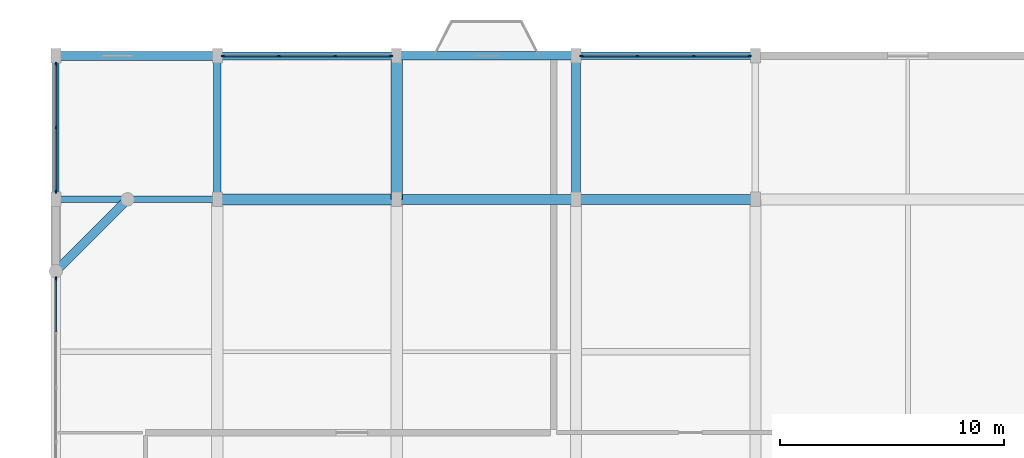
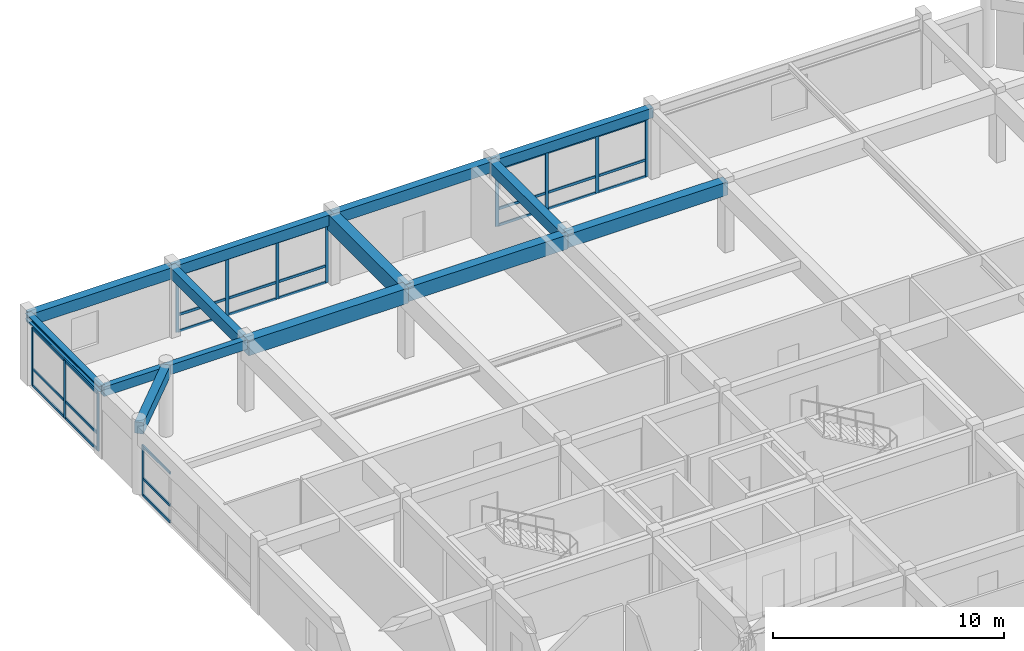
# One storey, part 6 of 13: 39 members, 13 beams, 4 elements without a shape of their own.
"""IFC4 building model written with IfcOpenShell, lengths in metres."""

from ifc_helpers import new_model, si_unit, direction, frame, origin, origin_2d, place, context, subcontext, project, spatial, rectangle, i_section, extrude, material, material_profile, profile_set, type_object, element, aggregate, save


model = new_model("IFC4")

# Units and contexts
model_context = context("Model", 3, precision=1e-05, world=origin(), true_north=direction((0.0, 1.0)))
body_context = subcontext(model_context, "Body", "Model", "MODEL_VIEW")
ifc_project = project(units=[si_unit("LENGTHUNIT", "METRE"), si_unit("AREAUNIT", "SQUARE_METRE"), si_unit("VOLUMEUNIT", "CUBIC_METRE"), si_unit("PLANEANGLEUNIT", "RADIAN"), si_unit("MASSUNIT", "GRAM", prefix="KILO")], contexts=[model_context])

# Site, building, storey
site_placement = place(None, origin())
site = spatial("IfcSite", under=ifc_project, at=site_placement, CompositionType="ELEMENT")
building_placement = place(site_placement, origin())
building = spatial("IfcBuilding", under=site, at=building_placement, Name="Vellmiral Cinema and Media Centre", CompositionType="ELEMENT")
storey_placement = place(building_placement, frame((0.0, 0.0, 58.699951171875)))
storey = spatial("IfcBuildingStorey", under=building, at=storey_placement, Name="L14", CompositionType="ELEMENT", Elevation=58.699951171875)

# Beams
ifc_material_1 = material(Name="Concrete C40/50", Category="concrete")
ifc_material_profile_1 = material_profile(ifc_material_1, rectangle(XDim=0.300048828125, YDim=0.5, at=origin_2d()), Name="RC 300x500")
ifc_profile_set_1 = profile_set([ifc_material_profile_1], Name="Concrete C40/50")
beam_type_1 = type_object("IfcBeamType", Name="BM-RC-300x500", PredefinedType="BEAM", material=ifc_profile_set_1)
beam_1_placement = place(storey_placement, frame((116.800048828125, 108.800048828125, 3.39501953125), z_axis=(1.0, 0.0, 0.0), x_axis=(0.0, 1.0, 0.0)))
element("IfcBeam", 1, at=beam_1_placement, inside=storey, type_object=beam_type_1, Name="Grid Beam L14-X025", PredefinedType="BEAM", context=body_context, shape_type="SweptSolid", body=[
    extrude(rectangle(XDim=0.300048828125, YDim=0.5, at=origin_2d()), origin(), (0.0, 0.0, 1.0), 7.199951171875),
])
ifc_material_2 = material(Name="Concrete C40/50", Category="concrete")
ifc_material_profile_2 = material_profile(ifc_material_2, rectangle(XDim=0.35009765625, YDim=0.60009765625, at=origin_2d()), Name="RC 350x600")
ifc_profile_set_2 = profile_set([ifc_material_profile_2], Name="Concrete C40/50")
beam_type_2 = type_object("IfcBeamType", Name="BM-RC-350x600", PredefinedType="BEAM", material=ifc_profile_set_2)
beam_2_placement = place(storey_placement, frame((124.0, 108.800048828125, 3.344970703125), z_axis=(0.0, 1.0, 0.0), x_axis=(-1.0, 0.0, 0.0)))
element("IfcBeam", 2, at=beam_2_placement, inside=storey, type_object=beam_type_2, Name="Grid Beam L14-Y045", PredefinedType="BEAM", context=body_context, shape_type="SweptSolid", body=[
    extrude(rectangle(XDim=0.35009765625, YDim=0.60009765625, at=origin_2d()), origin(), (0.0, 0.0, 1.0), 6.39990234375),
])
ifc_material_3 = material(Name="Concrete C40/50", Category="concrete")
ifc_material_profile_3 = material_profile(ifc_material_3, rectangle(XDim=0.39990234375, YDim=0.60009765625, at=origin_2d()), Name="RC 400x600")
ifc_profile_set_3 = profile_set([ifc_material_profile_3], Name="Concrete C40/50")
beam_type_3 = type_object("IfcBeamType", Name="BM-RC-400x600", PredefinedType="BEAM", material=ifc_profile_set_3)
beam_3_placement = place(storey_placement, frame((140.0, 108.800048828125, 3.344970703125), z_axis=(0.0, 1.0, 0.0), x_axis=(-1.0, 0.0, 0.0)))
element("IfcBeam", 3, at=beam_3_placement, inside=storey, type_object=beam_type_3, Name="Grid Beam L14-Y055", PredefinedType="BEAM", context=body_context, shape_type="SweptSolid", body=[
    extrude(rectangle(XDim=0.39990234375, YDim=0.60009765625, at=origin_2d()), origin(), (0.0, 0.0, 1.0), 6.39990234375),
])
ifc_material_4 = material(Name="Concrete C40/50", Category="concrete")
ifc_material_profile_4 = material_profile(ifc_material_4, rectangle(XDim=0.449951171875, YDim=0.699951171875, at=origin_2d()), Name="RC 450x700")
ifc_profile_set_4 = profile_set([ifc_material_profile_4], Name="Concrete C40/50")
beam_type_4 = type_object("IfcBeamType", Name="BM-RC-450x700", PredefinedType="BEAM", material=ifc_profile_set_4)
beam_4_placement = place(storey_placement, frame((140.0, 108.800048828125, 3.295166015625), z_axis=(1.0, 0.0, 0.0), x_axis=(0.0, 1.0, 0.0)))
element("IfcBeam", 4, at=beam_4_placement, inside=storey, type_object=beam_type_4, Name="Grid Beam L14-X028", PredefinedType="BEAM", context=body_context, shape_type="SweptSolid", body=[
    extrude(rectangle(XDim=0.449951171875, YDim=0.699951171875, at=origin_2d()), origin(), (0.0, 0.0, 1.0), 8.0),
])
ifc_material_5 = material(Name="Concrete C40/50", Category="concrete")
ifc_material_profile_5 = material_profile(ifc_material_5, rectangle(XDim=0.449951171875, YDim=0.75, at=origin_2d()), Name="RC 450x750")
ifc_profile_set_5 = profile_set([ifc_material_profile_5], Name="Concrete C40/50")
beam_type_5 = type_object("IfcBeamType", Name="BM-RC-450x750", PredefinedType="BEAM", material=ifc_profile_set_5)
beam_5_placement = place(storey_placement, frame((132.0, 108.800048828125, 3.27001953125), z_axis=(1.0, 0.0, 0.0), x_axis=(0.0, 1.0, 0.0)))
element("IfcBeam", 5, at=beam_5_placement, inside=storey, type_object=beam_type_5, Name="Grid Beam L14-X027", PredefinedType="BEAM", context=body_context, shape_type="SweptSolid", body=[
    extrude(rectangle(XDim=0.449951171875, YDim=0.75, at=origin_2d()), origin(), (0.0, 0.0, 1.0), 8.0),
])
ifc_material_6 = material(Name="Concrete C40/50", Category="concrete")
ifc_material_profile_6 = material_profile(ifc_material_6, rectangle(XDim=0.5, YDim=0.800048828125, at=origin_2d()), Name="RC 500x800")
ifc_profile_set_6 = profile_set([ifc_material_profile_6], Name="Concrete C40/50")
beam_type_6 = type_object("IfcBeamType", Name="BM-RC-500x800", PredefinedType="BEAM", material=ifc_profile_set_6)
beam_6_placement = place(storey_placement, frame((124.0, 108.800048828125, 3.2451171875), z_axis=(1.0, 0.0, 0.0), x_axis=(0.0, 1.0, 0.0)))
element("IfcBeam", 6, at=beam_6_placement, inside=storey, type_object=beam_type_6, Name="Grid Beam L14-X026", PredefinedType="BEAM", context=body_context, shape_type="SweptSolid", body=[
    extrude(rectangle(XDim=0.5, YDim=0.800048828125, at=origin_2d()), origin(), (0.0, 0.0, 1.0), 8.0),
])
ifc_material_7 = material(Name="Concrete C40/50", Category="concrete")
ifc_material_profile_7 = material_profile(ifc_material_7, rectangle(XDim=0.5, YDim=0.85009765625, at=origin_2d()), Name="RC 500x850")
ifc_profile_set_7 = profile_set([ifc_material_profile_7], Name="Concrete C40/50")
beam_type_7 = type_object("IfcBeamType", Name="BM-RC-500x850", PredefinedType="BEAM", material=ifc_profile_set_7)
beam_7_placement = place(storey_placement, frame((132.0, 108.800048828125, 3.219970703125), z_axis=(0.0, 1.0, 0.0), x_axis=(-1.0, 0.0, 0.0)))
element("IfcBeam", 7, at=beam_7_placement, inside=storey, type_object=beam_type_7, Name="Grid Beam L14-Y050", PredefinedType="BEAM", context=body_context, shape_type="SweptSolid", body=[
    extrude(rectangle(XDim=0.5, YDim=0.85009765625, at=origin_2d()), origin(), (0.0, 0.0, 1.0), 6.39990234375),
])

# Curtain wall, members
ifc_material_8 = material(Name="Thermally Broken Aluminium and Triple Glazing", Category="aluminium")
curtain_wall_type = type_object("IfcCurtainWallType", Name="CW-TOWER-MID-W", PredefinedType="USERDEFINED", material=ifc_material_8)
curtain_wall_1_placement = place(storey_placement, origin())
curtain_wall_1 = element("IfcCurtainWall", 8, at=curtain_wall_1_placement, inside=storey, type_object=curtain_wall_type, Name="Curtain Wall L14-B019", ObjectType="UNITISED CURTAIN WALL", PredefinedType="USERDEFINED")
ifc_material_9 = material(Name="Thermally Broken Anodised Aluminium", Category="aluminium")
ifc_material_profile_8 = material_profile(ifc_material_9, rectangle(XDim=0.06494140625, YDim=0.159912109375, at=origin_2d()), Name="MULL 65x160")
ifc_profile_set_8 = profile_set([ifc_material_profile_8], Name="Thermally Broken Anodised Aluminium")
member_type_1 = type_object("IfcMemberType", Name="CWM-65x160", PredefinedType="MULLION", material=ifc_profile_set_8)
member_1_placement = place(storey_placement, frame((147.742431640625, 115.199951171875, 0.0), z_axis=(0.0, 0.0, 1.0), x_axis=(0.0, -1.0, 0.0)))
member_1 = element("IfcMember", 9, at=member_1_placement, type_object=member_type_1, Name="CW-08 mullion 1", PredefinedType="MULLION", context=body_context, shape_type="SweptSolid", body=[
    extrude(rectangle(XDim=0.06494140625, YDim=0.159912109375, at=origin_2d()), origin(), (0.0, 0.0, 1.0), 3.050048828125),
])
member_2_placement = place(storey_placement, frame((145.25830078125, 115.199951171875, 0.0), z_axis=(0.0, 0.0, 1.0), x_axis=(0.0, -1.0, 0.0)))
member_2 = element("IfcMember", 10, at=member_2_placement, type_object=member_type_1, Name="CW-08 mullion 2", PredefinedType="MULLION", context=body_context, shape_type="SweptSolid", body=[
    extrude(rectangle(XDim=0.06494140625, YDim=0.159912109375, at=origin_2d()), origin(), (0.0, 0.0, 1.0), 3.050048828125),
])
member_3_placement = place(storey_placement, frame((142.74169921875, 115.199951171875, 0.0), z_axis=(0.0, 0.0, 1.0), x_axis=(0.0, -1.0, 0.0)))
member_3 = element("IfcMember", 11, at=member_3_placement, type_object=member_type_1, Name="CW-08 mullion 3", PredefinedType="MULLION", context=body_context, shape_type="SweptSolid", body=[
    extrude(rectangle(XDim=0.06494140625, YDim=0.159912109375, at=origin_2d()), origin(), (0.0, 0.0, 1.0), 3.050048828125),
])
member_4_placement = place(storey_placement, frame((140.257568359375, 115.199951171875, 0.0), z_axis=(0.0, 0.0, 1.0), x_axis=(0.0, -1.0, 0.0)))
member_4 = element("IfcMember", 12, at=member_4_placement, type_object=member_type_1, Name="CW-08 mullion 4", PredefinedType="MULLION", context=body_context, shape_type="SweptSolid", body=[
    extrude(rectangle(XDim=0.06494140625, YDim=0.159912109375, at=origin_2d()), origin(), (0.0, 0.0, 1.0), 3.050048828125),
])

curtain_wall_2_placement = place(storey_placement, origin())
curtain_wall_2 = element("IfcCurtainWall", 13, at=curtain_wall_2_placement, inside=storey, type_object=curtain_wall_type, Name="Curtain Wall L14-B021", ObjectType="UNITISED CURTAIN WALL", PredefinedType="USERDEFINED")
member_5_placement = place(storey_placement, frame((131.742431640625, 115.199951171875, 0.0), z_axis=(0.0, 0.0, 1.0), x_axis=(0.0, -1.0, 0.0)))
member_5 = element("IfcMember", 14, at=member_5_placement, type_object=member_type_1, Name="CW-08 mullion 1", PredefinedType="MULLION", context=body_context, shape_type="SweptSolid", body=[
    extrude(rectangle(XDim=0.06494140625, YDim=0.159912109375, at=origin_2d()), origin(), (0.0, 0.0, 1.0), 3.050048828125),
])
member_6_placement = place(storey_placement, frame((129.25830078125, 115.199951171875, 0.0), z_axis=(0.0, 0.0, 1.0), x_axis=(0.0, -1.0, 0.0)))
member_6 = element("IfcMember", 15, at=member_6_placement, type_object=member_type_1, Name="CW-08 mullion 2", PredefinedType="MULLION", context=body_context, shape_type="SweptSolid", body=[
    extrude(rectangle(XDim=0.06494140625, YDim=0.159912109375, at=origin_2d()), origin(), (0.0, 0.0, 1.0), 3.050048828125),
])
member_7_placement = place(storey_placement, frame((126.74169921875, 115.199951171875, 0.0), z_axis=(0.0, 0.0, 1.0), x_axis=(0.0, -1.0, 0.0)))
member_7 = element("IfcMember", 16, at=member_7_placement, type_object=member_type_1, Name="CW-08 mullion 3", PredefinedType="MULLION", context=body_context, shape_type="SweptSolid", body=[
    extrude(rectangle(XDim=0.06494140625, YDim=0.159912109375, at=origin_2d()), origin(), (0.0, 0.0, 1.0), 3.050048828125),
])
member_8_placement = place(storey_placement, frame((124.257568359375, 115.199951171875, 0.0), z_axis=(0.0, 0.0, 1.0), x_axis=(0.0, -1.0, 0.0)))
member_8 = element("IfcMember", 17, at=member_8_placement, type_object=member_type_1, Name="CW-08 mullion 4", PredefinedType="MULLION", context=body_context, shape_type="SweptSolid", body=[
    extrude(rectangle(XDim=0.06494140625, YDim=0.159912109375, at=origin_2d()), origin(), (0.0, 0.0, 1.0), 3.050048828125),
])

curtain_wall_3_placement = place(storey_placement, origin())
curtain_wall_3 = element("IfcCurtainWall", 18, at=curtain_wall_3_placement, inside=storey, type_object=curtain_wall_type, Name="Curtain Wall L14-B023", ObjectType="UNITISED CURTAIN WALL", PredefinedType="USERDEFINED")
member_9_placement = place(storey_placement, frame((116.800048828125, 114.842529296875, 0.0), z_axis=(0.0, 0.0, 1.0), x_axis=(1.0, 0.0, 0.0)))
member_9 = element("IfcMember", 19, at=member_9_placement, type_object=member_type_1, Name="CW-08 mullion 1", PredefinedType="MULLION", context=body_context, shape_type="SweptSolid", body=[
    extrude(rectangle(XDim=0.06494140625, YDim=0.159912109375, at=origin_2d()), origin(), (0.0, 0.0, 1.0), 3.050048828125),
])
member_10_placement = place(storey_placement, frame((116.800048828125, 112.0, 0.0), z_axis=(0.0, 0.0, 1.0), x_axis=(1.0, 0.0, 0.0)))
member_10 = element("IfcMember", 20, at=member_10_placement, type_object=member_type_1, Name="CW-08 mullion 2", PredefinedType="MULLION", context=body_context, shape_type="SweptSolid", body=[
    extrude(rectangle(XDim=0.06494140625, YDim=0.159912109375, at=origin_2d()), origin(), (0.0, 0.0, 1.0), 3.050048828125),
])
member_11_placement = place(storey_placement, frame((116.800048828125, 109.157470703125, 0.0), z_axis=(0.0, 0.0, 1.0), x_axis=(1.0, 0.0, 0.0)))
member_11 = element("IfcMember", 21, at=member_11_placement, type_object=member_type_1, Name="CW-08 mullion 3", PredefinedType="MULLION", context=body_context, shape_type="SweptSolid", body=[
    extrude(rectangle(XDim=0.06494140625, YDim=0.159912109375, at=origin_2d()), origin(), (0.0, 0.0, 1.0), 3.050048828125),
])

# Curtain wall, member
curtain_wall_4_placement = place(storey_placement, origin())
curtain_wall_4 = element("IfcCurtainWall", 22, at=curtain_wall_4_placement, inside=storey, type_object=curtain_wall_type, Name="Curtain Wall L14-B025", ObjectType="UNITISED CURTAIN WALL", PredefinedType="USERDEFINED")
member_12_placement = place(storey_placement, frame((116.800048828125, 105.267578125, 0.0), z_axis=(0.0, 0.0, 1.0), x_axis=(1.0, 0.0, 0.0)))
member_12 = element("IfcMember", 23, at=member_12_placement, type_object=member_type_1, Name="CW-08 mullion 1", PredefinedType="MULLION", context=body_context, shape_type="SweptSolid", body=[
    extrude(rectangle(XDim=0.06494140625, YDim=0.159912109375, at=origin_2d()), origin(), (0.0, 0.0, 1.0), 2.635009765625),
])

# Member
ifc_material_10 = material(Name="Thermally Broken Anodised Aluminium", Category="aluminium")
ifc_material_profile_9 = material_profile(ifc_material_10, rectangle(XDim=0.06494140625, YDim=0.135009765625, at=origin_2d()), Name="MULL 65x135")
ifc_profile_set_9 = profile_set([ifc_material_profile_9], Name="Thermally Broken Anodised Aluminium")
member_type_2 = type_object("IfcMemberType", Name="CWT-65x135", PredefinedType="USERDEFINED", material=ifc_profile_set_9)
member_13_placement = place(storey_placement, frame((147.7099609375, 115.199951171875, 0.032470703125), z_axis=(-1.0, 0.0, 0.0), x_axis=(0.0, -1.0, 0.0)))
member_13 = element("IfcMember", 24, at=member_13_placement, type_object=member_type_2, Name="CW-08 transom 1.1", ObjectType="TRANSOM", PredefinedType="USERDEFINED", context=body_context, shape_type="SweptSolid", body=[
    extrude(rectangle(XDim=0.06494140625, YDim=0.135009765625, at=origin_2d()), origin(), (0.0, 0.0, 1.0), 2.419189453125),
])

member_14_placement = place(storey_placement, frame((147.7099609375, 115.199951171875, 0.900146484375), z_axis=(-1.0, 0.0, 0.0), x_axis=(0.0, -1.0, 0.0)))
member_14 = element("IfcMember", 25, at=member_14_placement, type_object=member_type_2, Name="CW-08 transom 1.2", ObjectType="TRANSOM", PredefinedType="USERDEFINED", context=body_context, shape_type="SweptSolid", body=[
    extrude(rectangle(XDim=0.06494140625, YDim=0.135009765625, at=origin_2d()), origin(), (0.0, 0.0, 1.0), 2.419189453125),
])

member_15_placement = place(storey_placement, frame((147.7099609375, 115.199951171875, 3.017578125), z_axis=(-1.0, 0.0, 0.0), x_axis=(0.0, -1.0, 0.0)))
member_15 = element("IfcMember", 26, at=member_15_placement, type_object=member_type_2, Name="CW-08 transom 1.3", ObjectType="TRANSOM", PredefinedType="USERDEFINED", context=body_context, shape_type="SweptSolid", body=[
    extrude(rectangle(XDim=0.06494140625, YDim=0.135009765625, at=origin_2d()), origin(), (0.0, 0.0, 1.0), 2.419189453125),
])

member_16_placement = place(storey_placement, frame((145.225830078125, 115.199951171875, 0.032470703125), z_axis=(-1.0, 0.0, 0.0), x_axis=(0.0, -1.0, 0.0)))
member_16 = element("IfcMember", 27, at=member_16_placement, type_object=member_type_2, Name="CW-08 transom 2.1", ObjectType="TRANSOM", PredefinedType="USERDEFINED", context=body_context, shape_type="SweptSolid", body=[
    extrude(rectangle(XDim=0.06494140625, YDim=0.135009765625, at=origin_2d()), origin(), (0.0, 0.0, 1.0), 2.45166015625),
])

member_17_placement = place(storey_placement, frame((145.225830078125, 115.199951171875, 0.900146484375), z_axis=(-1.0, 0.0, 0.0), x_axis=(0.0, -1.0, 0.0)))
member_17 = element("IfcMember", 28, at=member_17_placement, type_object=member_type_2, Name="CW-08 transom 2.2", ObjectType="TRANSOM", PredefinedType="USERDEFINED", context=body_context, shape_type="SweptSolid", body=[
    extrude(rectangle(XDim=0.06494140625, YDim=0.135009765625, at=origin_2d()), origin(), (0.0, 0.0, 1.0), 2.45166015625),
])

member_18_placement = place(storey_placement, frame((145.225830078125, 115.199951171875, 3.017578125), z_axis=(-1.0, 0.0, 0.0), x_axis=(0.0, -1.0, 0.0)))
member_18 = element("IfcMember", 29, at=member_18_placement, type_object=member_type_2, Name="CW-08 transom 2.3", ObjectType="TRANSOM", PredefinedType="USERDEFINED", context=body_context, shape_type="SweptSolid", body=[
    extrude(rectangle(XDim=0.06494140625, YDim=0.135009765625, at=origin_2d()), origin(), (0.0, 0.0, 1.0), 2.45166015625),
])

member_19_placement = place(storey_placement, frame((142.709228515625, 115.199951171875, 0.032470703125), z_axis=(-1.0, 0.0, 0.0), x_axis=(0.0, -1.0, 0.0)))
member_19 = element("IfcMember", 30, at=member_19_placement, type_object=member_type_2, Name="CW-08 transom 3.1", ObjectType="TRANSOM", PredefinedType="USERDEFINED", context=body_context, shape_type="SweptSolid", body=[
    extrude(rectangle(XDim=0.06494140625, YDim=0.135009765625, at=origin_2d()), origin(), (0.0, 0.0, 1.0), 2.419189453125),
])

member_20_placement = place(storey_placement, frame((142.709228515625, 115.199951171875, 0.900146484375), z_axis=(-1.0, 0.0, 0.0), x_axis=(0.0, -1.0, 0.0)))
member_20 = element("IfcMember", 31, at=member_20_placement, type_object=member_type_2, Name="CW-08 transom 3.2", ObjectType="TRANSOM", PredefinedType="USERDEFINED", context=body_context, shape_type="SweptSolid", body=[
    extrude(rectangle(XDim=0.06494140625, YDim=0.135009765625, at=origin_2d()), origin(), (0.0, 0.0, 1.0), 2.419189453125),
])

member_21_placement = place(storey_placement, frame((142.709228515625, 115.199951171875, 3.017578125), z_axis=(-1.0, 0.0, 0.0), x_axis=(0.0, -1.0, 0.0)))
member_21 = element("IfcMember", 32, at=member_21_placement, type_object=member_type_2, Name="CW-08 transom 3.3", ObjectType="TRANSOM", PredefinedType="USERDEFINED", context=body_context, shape_type="SweptSolid", body=[
    extrude(rectangle(XDim=0.06494140625, YDim=0.135009765625, at=origin_2d()), origin(), (0.0, 0.0, 1.0), 2.419189453125),
])

aggregate(curtain_wall_1, [member_1, member_2, member_3, member_4, member_13, member_14, member_15, member_16, member_17, member_18, member_19, member_20, member_21])

member_22_placement = place(storey_placement, frame((131.7099609375, 115.199951171875, 0.032470703125), z_axis=(-1.0, 0.0, 0.0), x_axis=(0.0, -1.0, 0.0)))
member_22 = element("IfcMember", 33, at=member_22_placement, type_object=member_type_2, Name="CW-08 transom 1.1", ObjectType="TRANSOM", PredefinedType="USERDEFINED", context=body_context, shape_type="SweptSolid", body=[
    extrude(rectangle(XDim=0.06494140625, YDim=0.135009765625, at=origin_2d()), origin(), (0.0, 0.0, 1.0), 2.419189453125),
])

member_23_placement = place(storey_placement, frame((131.7099609375, 115.199951171875, 0.900146484375), z_axis=(-1.0, 0.0, 0.0), x_axis=(0.0, -1.0, 0.0)))
member_23 = element("IfcMember", 34, at=member_23_placement, type_object=member_type_2, Name="CW-08 transom 1.2", ObjectType="TRANSOM", PredefinedType="USERDEFINED", context=body_context, shape_type="SweptSolid", body=[
    extrude(rectangle(XDim=0.06494140625, YDim=0.135009765625, at=origin_2d()), origin(), (0.0, 0.0, 1.0), 2.419189453125),
])

member_24_placement = place(storey_placement, frame((131.7099609375, 115.199951171875, 3.017578125), z_axis=(-1.0, 0.0, 0.0), x_axis=(0.0, -1.0, 0.0)))
member_24 = element("IfcMember", 35, at=member_24_placement, type_object=member_type_2, Name="CW-08 transom 1.3", ObjectType="TRANSOM", PredefinedType="USERDEFINED", context=body_context, shape_type="SweptSolid", body=[
    extrude(rectangle(XDim=0.06494140625, YDim=0.135009765625, at=origin_2d()), origin(), (0.0, 0.0, 1.0), 2.419189453125),
])

member_25_placement = place(storey_placement, frame((129.225830078125, 115.199951171875, 0.032470703125), z_axis=(-1.0, 0.0, 0.0), x_axis=(0.0, -1.0, 0.0)))
member_25 = element("IfcMember", 36, at=member_25_placement, type_object=member_type_2, Name="CW-08 transom 2.1", ObjectType="TRANSOM", PredefinedType="USERDEFINED", context=body_context, shape_type="SweptSolid", body=[
    extrude(rectangle(XDim=0.06494140625, YDim=0.135009765625, at=origin_2d()), origin(), (0.0, 0.0, 1.0), 2.45166015625),
])

member_26_placement = place(storey_placement, frame((129.225830078125, 115.199951171875, 0.900146484375), z_axis=(-1.0, 0.0, 0.0), x_axis=(0.0, -1.0, 0.0)))
member_26 = element("IfcMember", 37, at=member_26_placement, type_object=member_type_2, Name="CW-08 transom 2.2", ObjectType="TRANSOM", PredefinedType="USERDEFINED", context=body_context, shape_type="SweptSolid", body=[
    extrude(rectangle(XDim=0.06494140625, YDim=0.135009765625, at=origin_2d()), origin(), (0.0, 0.0, 1.0), 2.45166015625),
])

member_27_placement = place(storey_placement, frame((129.225830078125, 115.199951171875, 3.017578125), z_axis=(-1.0, 0.0, 0.0), x_axis=(0.0, -1.0, 0.0)))
member_27 = element("IfcMember", 38, at=member_27_placement, type_object=member_type_2, Name="CW-08 transom 2.3", ObjectType="TRANSOM", PredefinedType="USERDEFINED", context=body_context, shape_type="SweptSolid", body=[
    extrude(rectangle(XDim=0.06494140625, YDim=0.135009765625, at=origin_2d()), origin(), (0.0, 0.0, 1.0), 2.45166015625),
])

member_28_placement = place(storey_placement, frame((126.709228515625, 115.199951171875, 0.032470703125), z_axis=(-1.0, 0.0, 0.0), x_axis=(0.0, -1.0, 0.0)))
member_28 = element("IfcMember", 39, at=member_28_placement, type_object=member_type_2, Name="CW-08 transom 3.1", ObjectType="TRANSOM", PredefinedType="USERDEFINED", context=body_context, shape_type="SweptSolid", body=[
    extrude(rectangle(XDim=0.06494140625, YDim=0.135009765625, at=origin_2d()), origin(), (0.0, 0.0, 1.0), 2.419189453125),
])

member_29_placement = place(storey_placement, frame((126.709228515625, 115.199951171875, 0.900146484375), z_axis=(-1.0, 0.0, 0.0), x_axis=(0.0, -1.0, 0.0)))
member_29 = element("IfcMember", 40, at=member_29_placement, type_object=member_type_2, Name="CW-08 transom 3.2", ObjectType="TRANSOM", PredefinedType="USERDEFINED", context=body_context, shape_type="SweptSolid", body=[
    extrude(rectangle(XDim=0.06494140625, YDim=0.135009765625, at=origin_2d()), origin(), (0.0, 0.0, 1.0), 2.419189453125),
])

member_30_placement = place(storey_placement, frame((126.709228515625, 115.199951171875, 3.017578125), z_axis=(-1.0, 0.0, 0.0), x_axis=(0.0, -1.0, 0.0)))
member_30 = element("IfcMember", 41, at=member_30_placement, type_object=member_type_2, Name="CW-08 transom 3.3", ObjectType="TRANSOM", PredefinedType="USERDEFINED", context=body_context, shape_type="SweptSolid", body=[
    extrude(rectangle(XDim=0.06494140625, YDim=0.135009765625, at=origin_2d()), origin(), (0.0, 0.0, 1.0), 2.419189453125),
])

aggregate(curtain_wall_2, [member_5, member_6, member_7, member_8, member_22, member_23, member_24, member_25, member_26, member_27, member_28, member_29, member_30])

member_31_placement = place(storey_placement, frame((116.800048828125, 114.81005859375, 0.032470703125), z_axis=(0.0, -1.0, 0.0), x_axis=(1.0, 0.0, 0.0)))
member_31 = element("IfcMember", 42, at=member_31_placement, type_object=member_type_2, Name="CW-08 transom 1.1", ObjectType="TRANSOM", PredefinedType="USERDEFINED", context=body_context, shape_type="SweptSolid", body=[
    extrude(rectangle(XDim=0.06494140625, YDim=0.135009765625, at=origin_2d()), origin(), (0.0, 0.0, 1.0), 2.777587890625),
])

member_32_placement = place(storey_placement, frame((116.800048828125, 114.81005859375, 0.900146484375), z_axis=(0.0, -1.0, 0.0), x_axis=(1.0, 0.0, 0.0)))
member_32 = element("IfcMember", 43, at=member_32_placement, type_object=member_type_2, Name="CW-08 transom 1.2", ObjectType="TRANSOM", PredefinedType="USERDEFINED", context=body_context, shape_type="SweptSolid", body=[
    extrude(rectangle(XDim=0.06494140625, YDim=0.135009765625, at=origin_2d()), origin(), (0.0, 0.0, 1.0), 2.777587890625),
])

member_33_placement = place(storey_placement, frame((116.800048828125, 114.81005859375, 3.017578125), z_axis=(0.0, -1.0, 0.0), x_axis=(1.0, 0.0, 0.0)))
member_33 = element("IfcMember", 44, at=member_33_placement, type_object=member_type_2, Name="CW-08 transom 1.3", ObjectType="TRANSOM", PredefinedType="USERDEFINED", context=body_context, shape_type="SweptSolid", body=[
    extrude(rectangle(XDim=0.06494140625, YDim=0.135009765625, at=origin_2d()), origin(), (0.0, 0.0, 1.0), 2.777587890625),
])

member_34_placement = place(storey_placement, frame((116.800048828125, 111.967529296875, 0.032470703125), z_axis=(0.0, -1.0, 0.0), x_axis=(1.0, 0.0, 0.0)))
member_34 = element("IfcMember", 45, at=member_34_placement, type_object=member_type_2, Name="CW-08 transom 2.1", ObjectType="TRANSOM", PredefinedType="USERDEFINED", context=body_context, shape_type="SweptSolid", body=[
    extrude(rectangle(XDim=0.06494140625, YDim=0.135009765625, at=origin_2d()), origin(), (0.0, 0.0, 1.0), 2.777587890625),
])

member_35_placement = place(storey_placement, frame((116.800048828125, 111.967529296875, 0.900146484375), z_axis=(0.0, -1.0, 0.0), x_axis=(1.0, 0.0, 0.0)))
member_35 = element("IfcMember", 46, at=member_35_placement, type_object=member_type_2, Name="CW-08 transom 2.2", ObjectType="TRANSOM", PredefinedType="USERDEFINED", context=body_context, shape_type="SweptSolid", body=[
    extrude(rectangle(XDim=0.06494140625, YDim=0.135009765625, at=origin_2d()), origin(), (0.0, 0.0, 1.0), 2.777587890625),
])

member_36_placement = place(storey_placement, frame((116.800048828125, 111.967529296875, 3.017578125), z_axis=(0.0, -1.0, 0.0), x_axis=(1.0, 0.0, 0.0)))
member_36 = element("IfcMember", 47, at=member_36_placement, type_object=member_type_2, Name="CW-08 transom 2.3", ObjectType="TRANSOM", PredefinedType="USERDEFINED", context=body_context, shape_type="SweptSolid", body=[
    extrude(rectangle(XDim=0.06494140625, YDim=0.135009765625, at=origin_2d()), origin(), (0.0, 0.0, 1.0), 2.777587890625),
])

aggregate(curtain_wall_3, [member_9, member_10, member_11, member_31, member_32, member_33, member_34, member_35, member_36])

member_37_placement = place(storey_placement, frame((116.800048828125, 105.235107421875, 0.032470703125), z_axis=(0.0, -1.0, 0.0), x_axis=(1.0, 0.0, 0.0)))
member_37 = element("IfcMember", 48, at=member_37_placement, type_object=member_type_2, Name="CW-08 transom 1.1", ObjectType="TRANSOM", PredefinedType="USERDEFINED", context=body_context, shape_type="SweptSolid", body=[
    extrude(rectangle(XDim=0.06494140625, YDim=0.135009765625, at=origin_2d()), origin(), (0.0, 0.0, 1.0), 2.346435546875),
])

member_38_placement = place(storey_placement, frame((116.800048828125, 105.235107421875, 0.900146484375), z_axis=(0.0, -1.0, 0.0), x_axis=(1.0, 0.0, 0.0)))
member_38 = element("IfcMember", 49, at=member_38_placement, type_object=member_type_2, Name="CW-08 transom 1.2", ObjectType="TRANSOM", PredefinedType="USERDEFINED", context=body_context, shape_type="SweptSolid", body=[
    extrude(rectangle(XDim=0.06494140625, YDim=0.135009765625, at=origin_2d()), origin(), (0.0, 0.0, 1.0), 2.346435546875),
])

member_39_placement = place(storey_placement, frame((116.800048828125, 105.235107421875, 2.6025390625), z_axis=(0.0, -1.0, 0.0), x_axis=(1.0, 0.0, 0.0)))
member_39 = element("IfcMember", 50, at=member_39_placement, type_object=member_type_2, Name="CW-08 transom 1.3", ObjectType="TRANSOM", PredefinedType="USERDEFINED", context=body_context, shape_type="SweptSolid", body=[
    extrude(rectangle(XDim=0.06494140625, YDim=0.135009765625, at=origin_2d()), origin(), (0.0, 0.0, 1.0), 2.346435546875),
])

aggregate(curtain_wall_4, [member_12, member_37, member_38, member_39])

# Beams
ifc_material_11 = material(Name="Steel S355", Category="steel")
ifc_material_profile_10 = material_profile(ifc_material_11, i_section(OverallWidth=0.300048828125, OverallDepth=0.300048828125, WebThickness=0.010986328125, FlangeThickness=0.01904296875, FilletRadius=0.027099609375, at=origin_2d()), Name="HEB 300")
ifc_profile_set_10 = profile_set([ifc_material_profile_10], Name="Steel S355")
beam_type_8 = type_object("IfcBeamType", Name="SBM-HEB300", PredefinedType="SPANDREL", material=ifc_profile_set_10)
beam_8_placement = place(storey_placement, frame((116.800048828125, 108.800048828125, 3.4951171875), z_axis=(0.0, 1.0, 0.0), x_axis=(-1.0, 0.0, 0.0)))
element("IfcBeam", 51, at=beam_8_placement, inside=storey, type_object=beam_type_8, Name="Grid Beam L14-Y040", PredefinedType="SPANDREL", context=body_context, shape_type="SweptSolid", body=[
    extrude(i_section(OverallWidth=0.300048828125, OverallDepth=0.300048828125, WebThickness=0.010986328125, FlangeThickness=0.01904296875, FilletRadius=0.027099609375, at=origin_2d()), origin(), (0.0, 0.0, 1.0), 6.39990234375),
])
ifc_material_12 = material(Name="Concrete C40/50", Category="concrete")
ifc_material_profile_11 = material_profile(ifc_material_12, rectangle(XDim=0.35009765625, YDim=0.56005859375, at=origin_2d()), Name="RC 350x560")
ifc_profile_set_11 = profile_set([ifc_material_profile_11], Name="Concrete C40/50")
beam_type_9 = type_object("IfcBeamType", Name="SPD-RC-350x560", PredefinedType="SPANDREL", material=ifc_profile_set_11)
beam_9_placement = place(storey_placement, frame((124.0, 115.199951171875, 3.364990234375), z_axis=(1.0, 0.0, 0.0), x_axis=(0.0, 1.0, 0.0)))
element("IfcBeam", 52, at=beam_9_placement, inside=storey, type_object=beam_type_9, Name="Grid Beam L14-X032", PredefinedType="SPANDREL", context=body_context, shape_type="SweptSolid", body=[
    extrude(rectangle(XDim=0.35009765625, YDim=0.56005859375, at=origin_2d()), origin(), (0.0, 0.0, 1.0), 8.0),
])
ifc_material_13 = material(Name="Concrete C40/50", Category="concrete")
ifc_material_profile_12 = material_profile(ifc_material_13, rectangle(XDim=0.39990234375, YDim=0.60009765625, at=origin_2d()), Name="RC 400x600")
ifc_profile_set_12 = profile_set([ifc_material_profile_12], Name="Concrete C40/50")
beam_type_10 = type_object("IfcBeamType", Name="SPD-RC-400x600", PredefinedType="SPANDREL", material=ifc_profile_set_12)
beam_10_placement = place(storey_placement, frame((116.800048828125, 115.199951171875, 3.344970703125), z_axis=(1.0, 0.0, 0.0), x_axis=(0.0, 1.0, 0.0)))
element("IfcBeam", 53, at=beam_10_placement, inside=storey, type_object=beam_type_10, Name="Grid Beam L14-X031", PredefinedType="SPANDREL", context=body_context, shape_type="SweptSolid", body=[
    extrude(rectangle(XDim=0.39990234375, YDim=0.60009765625, at=origin_2d()), origin(), (0.0, 0.0, 1.0), 7.199951171875),
])
beam_11_placement = place(storey_placement, frame((116.800048828125, 105.60009765625, 3.344970703125), z_axis=(0.707106781187, 0.707106781187, 0.0), x_axis=(-0.707106781187, 0.707106781187, 0.0)))
element("IfcBeam", 54, at=beam_11_placement, inside=storey, type_object=beam_type_10, Name="Xamfra Chamfer Spandrel Beam L14-071", PredefinedType="SPANDREL", context=body_context, shape_type="SweptSolid", body=[
    extrude(rectangle(XDim=0.39990234375, YDim=0.60009765625, at=origin_2d()), origin(), (0.0, 0.0, 1.0), 4.525390625),
])
ifc_material_14 = material(Name="Vosges Red Sandstone Masonry", Category="masonry")
ifc_material_profile_13 = material_profile(ifc_material_14, rectangle(XDim=0.340087890625, YDim=0.52001953125, at=origin_2d()), Name="SAND 340x520")
ifc_profile_set_13 = profile_set([ifc_material_profile_13], Name="Vosges Red Sandstone Masonry")
beam_type_11 = type_object("IfcBeamType", Name="SPD-SAND-340x520", PredefinedType="SPANDREL", material=ifc_profile_set_13)
beam_12_placement = place(storey_placement, frame((140.0, 115.199951171875, 3.385009765625), z_axis=(1.0, 0.0, 0.0), x_axis=(0.0, 1.0, 0.0)))
element("IfcBeam", 55, at=beam_12_placement, inside=storey, type_object=beam_type_11, Name="Grid Beam L14-X034", PredefinedType="SPANDREL", context=body_context, shape_type="SweptSolid", body=[
    extrude(rectangle(XDim=0.340087890625, YDim=0.52001953125, at=origin_2d()), origin(), (0.0, 0.0, 1.0), 8.0),
])
ifc_material_15 = material(Name="Vosges Red Sandstone Masonry", Category="masonry")
ifc_material_profile_14 = material_profile(ifc_material_15, rectangle(XDim=0.3798828125, YDim=0.580078125, at=origin_2d()), Name="SAND 380x580")
ifc_profile_set_14 = profile_set([ifc_material_profile_14], Name="Vosges Red Sandstone Masonry")
beam_type_12 = type_object("IfcBeamType", Name="SPD-SAND-380x580", PredefinedType="SPANDREL", material=ifc_profile_set_14)
beam_13_placement = place(storey_placement, frame((132.0, 115.199951171875, 3.35498046875), z_axis=(1.0, 0.0, 0.0), x_axis=(0.0, 1.0, 0.0)))
element("IfcBeam", 56, at=beam_13_placement, inside=storey, type_object=beam_type_12, Name="Grid Beam L14-X033", PredefinedType="SPANDREL", context=body_context, shape_type="SweptSolid", body=[
    extrude(rectangle(XDim=0.3798828125, YDim=0.580078125, at=origin_2d()), origin(), (0.0, 0.0, 1.0), 8.0),
])

save(model, "model.ifc")
